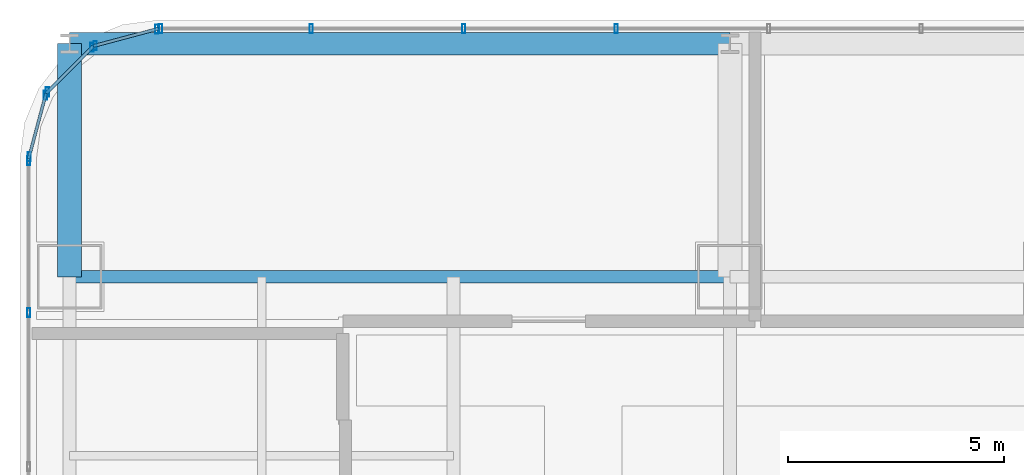
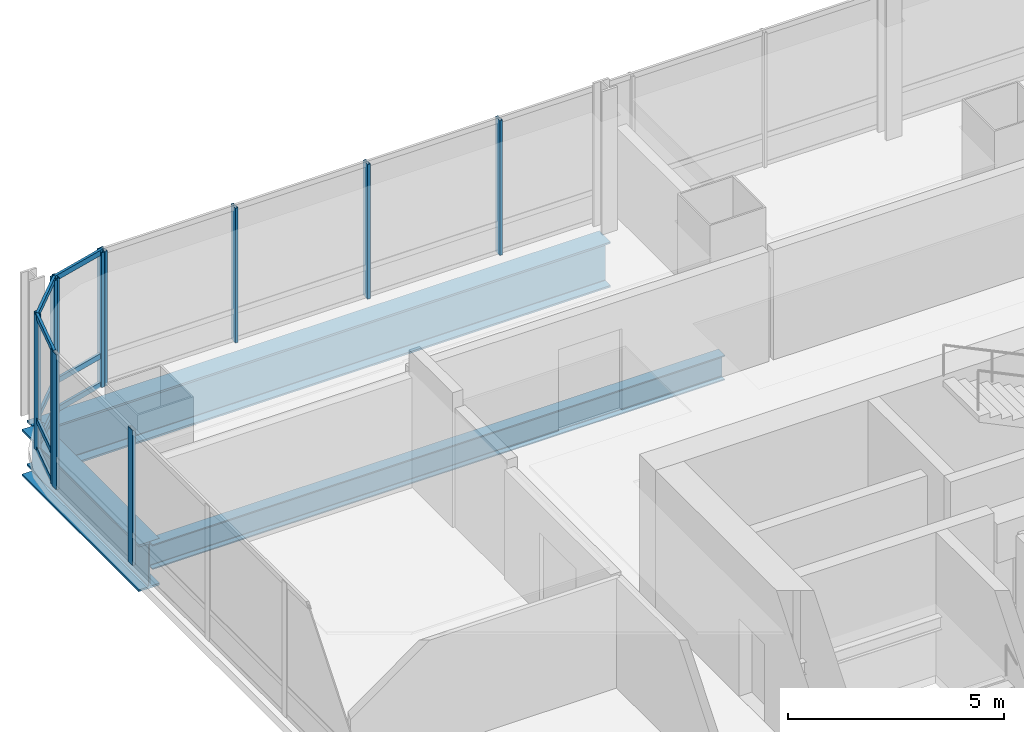
# One storey, part 19 of 34: 21 members, 3 beams, 5 elements without a shape of their own.
"""IFC4 building model written with IfcOpenShell, lengths in metres."""

import ifcopenshell
import ifcopenshell.guid

model = None  # the IFC model being written
_history = None  # IfcOwnerHistory: only IFC2X3 demands one
_inside = {}  # id of a spatial element -> (the spatial element, [elements in it])
_under = {}  # id of a project, library or spatial element -> (it, [spatial elements below it])
_declared = {}  # id of a project -> (the project, [libraries it declares])
_typed = {}  # id of a type object -> (the type object, [elements of that type])
_made_of = {}  # id of a material, layer set ... -> (it, [elements and type objects made of it])


def new_model(schema):
    """Start an empty IFC model of exactly this schema.

    Asked for "IFC4X3", IfcOpenShell would pick the latest addendum, in which some entities
    have other attributes; the version numbers below select the first issue.
    IFC2X3 requires an IfcOwnerHistory on every rooted entity: one is made here for all.
    """
    global model, _history
    if schema == "IFC4X3":
        model = ifcopenshell.file(schema_version=(4, 3, 0, 0))
    else:
        model = ifcopenshell.file(schema=schema)
    _inside.clear()
    _under.clear()
    _declared.clear()
    _typed.clear()
    _made_of.clear()
    _history = None
    if model.schema == "IFC2X3":
        org = make("IfcOrganization", Name="unknown")
        user = make(
            "IfcPersonAndOrganization",
            ThePerson=make("IfcPerson", FamilyName="unknown"),
            TheOrganization=org,
        )
        app = make(
            "IfcApplication",
            ApplicationDeveloper=org,
            Version="unknown",
            ApplicationFullName="unknown",
            ApplicationIdentifier="unknown",
        )
        _history = make(
            "IfcOwnerHistory",
            OwningUser=user,
            OwningApplication=app,
            ChangeAction="ADDED",
            CreationDate=0,
        )
    return model


def make(cls, **values):
    """One entity of the class cls with the attributes given. An attribute that is None is left unset."""
    return model.create_entity(
        cls, **{name: value for name, value in values.items() if value is not None}
    )


def rooted(cls, **values):
    """An entity with a GlobalId (a new one), such as an element, a storey or a relation."""
    return make(cls, GlobalId=ifcopenshell.guid.new(), OwnerHistory=_history, **values)


def si_unit(unit_type, name, prefix=None):
    """IfcSIUnit, for example si_unit("LENGTHUNIT", "METRE", prefix="MILLI")."""
    return make("IfcSIUnit", UnitType=unit_type, Prefix=prefix, Name=name)


def assignment(units):
    """IfcUnitAssignment: the units of a project."""
    return None if units is None else make("IfcUnitAssignment", Units=units)


def point(xyz):
    """IfcCartesianPoint."""
    return None if xyz is None else make("IfcCartesianPoint", Coordinates=xyz)


def direction(xyz):
    """IfcDirection."""
    return None if xyz is None else make("IfcDirection", DirectionRatios=xyz)


def frame(location, z_axis=None, x_axis=None):
    """IfcAxis2Placement3D, a coordinate frame: its origin and axes. An axis left out is left unset."""
    return make(
        "IfcAxis2Placement3D",
        Location=point(location),
        Axis=direction(z_axis),
        RefDirection=direction(x_axis),
    )


def frame_2d(location, x_axis=None):
    """IfcAxis2Placement2D, a coordinate frame in the plane: its origin and x axis."""
    return make(
        "IfcAxis2Placement2D", Location=point(location), RefDirection=direction(x_axis)
    )


def origin():
    """The frame at (0, 0, 0) with its axes left unset."""
    return frame((0.0, 0.0, 0.0))


def origin_2d():
    """The frame at (0, 0) in the plane with its x axis left unset."""
    return frame_2d((0.0, 0.0))


def place(relative_to, where):
    """IfcLocalPlacement: puts the frame where relative to a parent placement (None: the world)."""
    return make(
        "IfcLocalPlacement", PlacementRelTo=relative_to, RelativePlacement=where
    )


def context(
    kind, dimensions, precision=None, world=None, true_north=None, identifier=None
):
    """IfcGeometricRepresentationContext, for example the 3D "Model" context."""
    return make(
        "IfcGeometricRepresentationContext",
        ContextIdentifier=identifier,
        ContextType=kind,
        CoordinateSpaceDimension=dimensions,
        Precision=precision,
        WorldCoordinateSystem=world,
        TrueNorth=true_north,
    )


def subcontext(parent, identifier, kind, view, scale=None):
    """IfcGeometricRepresentationSubContext, for example "Body" below "Model"."""
    return make(
        "IfcGeometricRepresentationSubContext",
        ContextIdentifier=identifier,
        ContextType=kind,
        ParentContext=parent,
        TargetScale=scale,
        TargetView=view,
    )


def project(units=None, contexts=None):
    """IfcProject with its units and contexts."""
    return rooted(
        "IfcProject",
        Name="project",
        RepresentationContexts=contexts,
        UnitsInContext=assignment(units),
    )


def spatial(cls, under=None, at=None, **own):
    """A site, building, storey or space (cls), placed at a placement, below another one or the project."""
    s = rooted(cls, ObjectPlacement=at, **own)
    if under is not None:
        _under.setdefault(under.id(), (under, []))[1].append(s)
    return s


def profile(cls, at=None, kind="AREA", **sizes):
    """A parametric profile (cls). Its sizes go by their IFC names, for example OverallWidth=200.0."""
    return make(cls, ProfileType=kind, Position=at, **sizes)


def hollow_rectangle(**sizes):
    """IfcRectangleHollowProfileDef."""
    return profile("IfcRectangleHollowProfileDef", **sizes)


def i_section(**sizes):
    """IfcIShapeProfileDef."""
    return profile("IfcIShapeProfileDef", **sizes)


def extrude(swept, where, along, depth):
    """IfcExtrudedAreaSolid: the profile swept, set in the frame where, extruded along a direction by depth."""
    return make(
        "IfcExtrudedAreaSolid",
        SweptArea=swept,
        Position=where,
        ExtrudedDirection=direction(along),
        Depth=depth,
    )


def shape(context_of_items, identifier, shape_type, items):
    """IfcShapeRepresentation: the items that make up one representation, for example the "Body"."""
    return make(
        "IfcShapeRepresentation",
        ContextOfItems=context_of_items,
        RepresentationIdentifier=identifier,
        RepresentationType=shape_type,
        Items=items,
    )


def material(Name=None, Category=None):
    """IfcMaterial."""
    return make("IfcMaterial", Name=Name, Category=Category)


def material_profile(
    of_material, cross_section, Name=None, Category=None, Priority=None
):
    """IfcMaterialProfile: a cross section and its material."""
    return make(
        "IfcMaterialProfile",
        Name=Name,
        Material=of_material,
        Profile=cross_section,
        Priority=Priority,
        Category=Category,
    )


def profile_set(profiles, Name=None, composite=None):
    """IfcMaterialProfileSet."""
    return make(
        "IfcMaterialProfileSet",
        Name=Name,
        MaterialProfiles=profiles,
        CompositeProfile=composite,
    )


def made_of(thing, what):
    """Note that an element or type object is made of a material, layer set ...; save() writes the relation."""
    if what is not None:
        _made_of.setdefault(what.id(), (what, []))[1].append(thing)
    return thing


def type_object(cls, material=None, **own):
    """A type object (cls), such as IfcWallType, which elements share."""
    return made_of(rooted(cls, **own), material)


def element(
    cls,
    number,
    at=None,
    inside=None,
    cuts=None,
    type_object=None,
    material=None,
    context=None,
    identifier="Body",
    shape_type=None,
    held_by="IfcProductDefinitionShape",
    body=None,
    shapes=None,
    **own,
):
    """One element of the class cls, such as IfcWall. Its Tag is "e" and its number.

    at: its placement. inside: the storey or other place that contains it. cuts: it is an
    opening in that element (IfcRelVoidsElement). A single representation is given by context,
    identifier, shape_type and body (its items); several are given by shapes. held_by: the class
    of the entity that holds the representations. save() writes the other relations.
    """
    e = rooted(cls, Tag="e%d" % number, ObjectPlacement=at, **own)
    if body is not None:
        shapes = [shape(context, identifier, shape_type, body)]
    if shapes is not None:
        e.Representation = make(held_by, Representations=shapes)
    if inside is not None:
        _inside.setdefault(inside.id(), (inside, []))[1].append(e)
    if cuts is not None:
        rooted(
            "IfcRelVoidsElement", RelatingBuildingElement=cuts, RelatedOpeningElement=e
        )
    if type_object is not None:
        _typed.setdefault(type_object.id(), (type_object, []))[1].append(e)
    return made_of(e, material)


def aggregate(whole, parts):
    """IfcRelAggregates: a whole, such as a stair, and the parts it consists of."""
    return rooted("IfcRelAggregates", RelatingObject=whole, RelatedObjects=parts)


def save(model, path):
    """Write the relations noted so far, then the file.

    IfcRelAggregates (storeys below a building ...), IfcRelContainedInSpatialStructure (elements
    in a storey), IfcRelDefinesByType, IfcRelAssociatesMaterial and IfcRelDeclares: one each for
    every whole, place, type object, material and project.
    """
    for whole, parts in _under.values():
        aggregate(whole, parts)
    for where, things in _inside.values():
        rooted(
            "IfcRelContainedInSpatialStructure",
            RelatedElements=things,
            RelatingStructure=where,
        )
    for kind, things in _typed.values():
        rooted("IfcRelDefinesByType", RelatedObjects=things, RelatingType=kind)
    for what, things in _made_of.values():
        rooted("IfcRelAssociatesMaterial", RelatedObjects=things, RelatingMaterial=what)
    for by, libraries in _declared.values():
        rooted("IfcRelDeclares", RelatingContext=by, RelatedDefinitions=libraries)
    model.write(path)


model = new_model("IFC4")

# Units and contexts
model_context = context("Model", 3, precision=1e-05, world=origin(), true_north=direction((0.0, 1.0)))
body_context = subcontext(model_context, "Body", "Model", "MODEL_VIEW")
ifc_project = project(units=[si_unit("LENGTHUNIT", "METRE"), si_unit("AREAUNIT", "SQUARE_METRE"), si_unit("VOLUMEUNIT", "CUBIC_METRE"), si_unit("PLANEANGLEUNIT", "RADIAN"), si_unit("MASSUNIT", "GRAM", prefix="KILO")], contexts=[model_context])

# Site, building, storey
site_placement = place(None, origin())
site = spatial("IfcSite", under=ifc_project, at=site_placement, CompositionType="ELEMENT")
building_placement = place(site_placement, origin())
building = spatial("IfcBuilding", under=site, at=building_placement, Name="Punatoya Terracotta Tower", CompositionType="ELEMENT")
storey_placement = place(building_placement, frame((0.0, 0.0, 101.10009765625)))
storey = spatial("IfcBuildingStorey", under=building, at=storey_placement, Name="L23", CompositionType="ELEMENT", Elevation=101.10009765625)

# Beams
ifc_material_1 = material(Name="Steel S355", Category="steel")
ifc_material_profile_1 = material_profile(ifc_material_1, i_section(OverallWidth=0.300048828125, OverallDepth=0.699951171875, WebThickness=0.01708984375, FlangeThickness=0.031982421875, FilletRadius=0.01806640625, at=origin_2d()))
ifc_profile_set_1 = profile_set([ifc_material_profile_1], Name="Steel S355")
beam_type_1 = type_object("IfcBeamType", Name="BM-PRI-700", PredefinedType="BEAM", material=ifc_profile_set_1)
beam_1_placement = place(storey_placement, frame((-19.10009765625, 17.5, -0.590087890625), z_axis=(1.0, 0.0, 0.0), x_axis=(0.0, 1.0, 0.0)))
element("IfcBeam", 1, at=beam_1_placement, inside=storey, type_object=beam_type_1, Name="BM-L23-RG-N1", PredefinedType="BEAM", context=body_context, shape_type="SweptSolid", body=[
    extrude(i_section(OverallWidth=0.300048828125, OverallDepth=0.699951171875, WebThickness=0.01708984375, FlangeThickness=0.031982421875, FilletRadius=0.01806640625, at=origin_2d()), origin(), (0.0, 0.0, 1.0), 15.300048828125),
])
ifc_material_2 = material(Name="Steel S460", Category="steel")
ifc_material_profile_2 = material_profile(ifc_material_2, i_section(OverallWidth=0.56005859375, OverallDepth=1.320068359375, WebThickness=0.035888671875, FlangeThickness=0.054931640625, FilletRadius=0.01806640625, at=origin_2d()))
ifc_profile_set_2 = profile_set([ifc_material_profile_2], Name="Steel S460")
beam_type_2 = type_object("IfcBeamType", Name="BM-TG-BLK", PredefinedType="BEAM", material=ifc_profile_set_2)
beam_2_placement = place(storey_placement, frame((-19.10009765625, 17.5, -0.900146484375), z_axis=(0.0, 1.0, 0.0), x_axis=(-1.0, 0.0, 0.0)))
element("IfcBeam", 2, at=beam_2_placement, inside=storey, type_object=beam_type_2, Name="BM-L23-CANT-N1", PredefinedType="BEAM", context=body_context, shape_type="SweptSolid", body=[
    extrude(i_section(OverallWidth=0.56005859375, OverallDepth=1.320068359375, WebThickness=0.035888671875, FlangeThickness=0.054931640625, FilletRadius=0.01806640625, at=origin_2d()), origin(), (0.0, 0.0, 1.0), 5.39990234375),
])
ifc_material_profile_3 = material_profile(ifc_material_2, i_section(OverallWidth=0.52001953125, OverallDepth=1.280029296875, WebThickness=0.031982421875, FlangeThickness=0.050048828125, FilletRadius=0.01806640625, at=origin_2d()))
ifc_profile_set_3 = profile_set([ifc_material_profile_3], Name="Steel S460")
beam_type_3 = type_object("IfcBeamType", Name="BM-TG-NCK", PredefinedType="BEAM", material=ifc_profile_set_3)
beam_3_placement = place(storey_placement, frame((-19.10009765625, 22.89990234375, -0.880126953125), z_axis=(1.0, 0.0, 0.0), x_axis=(0.0, 1.0, 0.0)))
element("IfcBeam", 3, at=beam_3_placement, inside=storey, type_object=beam_type_3, Name="BM-L23-PER-N1", PredefinedType="BEAM", context=body_context, shape_type="SweptSolid", body=[
    extrude(i_section(OverallWidth=0.52001953125, OverallDepth=1.280029296875, WebThickness=0.031982421875, FlangeThickness=0.050048828125, FilletRadius=0.01806640625, at=origin_2d()), origin(), (0.0, 0.0, 1.0), 15.300048828125),
])

# Curtain wall, members
ifc_material_3 = material(Name="Aluminium 6063-T6 + Double Low-E Glass", Category="aluminium")
curtain_wall_type = type_object("IfcCurtainWallType", Name="CW-M1", PredefinedType="NOTDEFINED", material=ifc_material_3)
curtain_wall_1_placement = place(storey_placement, origin())
curtain_wall_1 = element("IfcCurtainWall", 4, at=curtain_wall_1_placement, inside=storey, type_object=curtain_wall_type, Name="L23 Curtain Wall CW-L23-N09-1", PredefinedType="NOTDEFINED")
ifc_material_4 = material(Name="Aluminium 6063-T6", Category="aluminium")
ifc_material_profile_4 = material_profile(ifc_material_4, hollow_rectangle(XDim=0.074951171875, YDim=0.2099609375, WallThickness=0.00439453125, at=origin_2d()))
ifc_profile_set_4 = profile_set([ifc_material_profile_4], Name="Aluminium 6063-T6")
member_type_1 = type_object("IfcMemberType", Name="CW-MUL-M1", PredefinedType="MULLION", material=ifc_profile_set_4)
member_1_placement = place(storey_placement, frame((-6.43505859375, 23.25, 0.0), z_axis=(0.0, 0.0, 1.0), x_axis=(1.0, 0.0, 0.0)))
member_1 = element("IfcMember", 5, at=member_1_placement, type_object=member_type_1, Name="CW-L23-N09-1 Mullion 08", PredefinedType="MULLION", context=body_context, shape_type="SweptSolid", body=[
    extrude(hollow_rectangle(XDim=0.074951171875, YDim=0.2099609375, WallThickness=0.00439453125, at=origin_2d()), origin(), (0.0, 0.0, 1.0), 3.809814453125),
])
member_2_placement = place(storey_placement, frame((-9.968994140625, 23.25, 0.0), z_axis=(0.0, 0.0, 1.0), x_axis=(1.0, 0.0, 0.0)))
member_2 = element("IfcMember", 6, at=member_2_placement, type_object=member_type_1, Name="CW-L23-N09-1 Mullion 09", PredefinedType="MULLION", context=body_context, shape_type="SweptSolid", body=[
    extrude(hollow_rectangle(XDim=0.074951171875, YDim=0.2099609375, WallThickness=0.00439453125, at=origin_2d()), origin(), (0.0, 0.0, 1.0), 3.809814453125),
])
member_3_placement = place(storey_placement, frame((-13.5029296875, 23.25, 0.0), z_axis=(0.0, 0.0, 1.0), x_axis=(1.0, 0.0, 0.0)))
member_3 = element("IfcMember", 7, at=member_3_placement, type_object=member_type_1, Name="CW-L23-N09-1 Mullion 10", PredefinedType="MULLION", context=body_context, shape_type="SweptSolid", body=[
    extrude(hollow_rectangle(XDim=0.074951171875, YDim=0.2099609375, WallThickness=0.00439453125, at=origin_2d()), origin(), (0.0, 0.0, 1.0), 3.809814453125),
])
member_4_placement = place(storey_placement, frame((-16.991943359375, 23.25, 0.0), z_axis=(0.0, 0.0, 1.0), x_axis=(1.0, 0.0, 0.0)))
member_4 = element("IfcMember", 8, at=member_4_placement, type_object=member_type_1, Name="CW-L23-N09-1 Mullion 11", PredefinedType="MULLION", context=body_context, shape_type="SweptSolid", body=[
    extrude(hollow_rectangle(XDim=0.074951171875, YDim=0.2099609375, WallThickness=0.00439453125, at=origin_2d()), origin(), (0.0, 0.0, 1.0), 3.809814453125),
])
aggregate(curtain_wall_1, [member_1, member_2, member_3, member_4])

curtain_wall_2_placement = place(storey_placement, origin())
curtain_wall_2 = element("IfcCurtainWall", 9, at=curtain_wall_2_placement, inside=storey, type_object=curtain_wall_type, Name="L23 Curtain Wall CW-L23-CRN10", PredefinedType="NOTDEFINED")
member_5_placement = place(storey_placement, frame((-17.080322265625, 23.23828125, 0.0), z_axis=(0.0, 0.0, 1.0), x_axis=(1.0, 0.0, 0.0)))
member_5 = element("IfcMember", 10, at=member_5_placement, type_object=member_type_1, Name="CW-L23-CRN10 Mullion 00", PredefinedType="MULLION", context=body_context, shape_type="SweptSolid", body=[
    extrude(hollow_rectangle(XDim=0.074951171875, YDim=0.2099609375, WallThickness=0.00439453125, at=origin_2d()), origin(), (0.0, 0.0, 1.0), 3.809814453125),
])
member_6_placement = place(storey_placement, frame((-18.505615234375, 22.858154296875, 0.0), z_axis=(0.0, 0.0, 1.0), x_axis=(1.0, 0.0, 0.0)))
member_6 = element("IfcMember", 11, at=member_6_placement, type_object=member_type_1, Name="CW-L23-CRN10 Mullion 01", PredefinedType="MULLION", context=body_context, shape_type="SweptSolid", body=[
    extrude(hollow_rectangle(XDim=0.074951171875, YDim=0.2099609375, WallThickness=0.00439453125, at=origin_2d()), origin(), (0.0, 0.0, 1.0), 3.809814453125),
])

curtain_wall_3_placement = place(storey_placement, origin())
curtain_wall_3 = element("IfcCurtainWall", 12, at=curtain_wall_3_placement, inside=storey, type_object=curtain_wall_type, Name="L23 Curtain Wall CW-L23-CRN11", PredefinedType="NOTDEFINED")
member_7_placement = place(storey_placement, frame((-18.580810546875, 22.814697265625, 0.0), z_axis=(0.0, 0.0, 1.0), x_axis=(1.0, 0.0, 0.0)))
member_7 = element("IfcMember", 13, at=member_7_placement, type_object=member_type_1, Name="CW-L23-CRN11 Mullion 00", PredefinedType="MULLION", context=body_context, shape_type="SweptSolid", body=[
    extrude(hollow_rectangle(XDim=0.074951171875, YDim=0.2099609375, WallThickness=0.00439453125, at=origin_2d()), origin(), (0.0, 0.0, 1.0), 3.809814453125),
])
member_8_placement = place(storey_placement, frame((-19.61474609375, 21.781005859375, 0.0), z_axis=(0.0, 0.0, 1.0), x_axis=(1.0, 0.0, 0.0)))
member_8 = element("IfcMember", 14, at=member_8_placement, type_object=member_type_1, Name="CW-L23-CRN11 Mullion 01", PredefinedType="MULLION", context=body_context, shape_type="SweptSolid", body=[
    extrude(hollow_rectangle(XDim=0.074951171875, YDim=0.2099609375, WallThickness=0.00439453125, at=origin_2d()), origin(), (0.0, 0.0, 1.0), 3.809814453125),
])

curtain_wall_4_placement = place(storey_placement, origin())
curtain_wall_4 = element("IfcCurtainWall", 15, at=curtain_wall_4_placement, inside=storey, type_object=curtain_wall_type, Name="L23 Curtain Wall CW-L23-CRN12", PredefinedType="NOTDEFINED")
member_9_placement = place(storey_placement, frame((-19.658203125, 21.70556640625, 0.0), z_axis=(0.0, 0.0, 1.0), x_axis=(1.0, 0.0, 0.0)))
member_9 = element("IfcMember", 16, at=member_9_placement, type_object=member_type_1, Name="CW-L23-CRN12 Mullion 00", PredefinedType="MULLION", context=body_context, shape_type="SweptSolid", body=[
    extrude(hollow_rectangle(XDim=0.074951171875, YDim=0.2099609375, WallThickness=0.00439453125, at=origin_2d()), origin(), (0.0, 0.0, 1.0), 3.809814453125),
])
member_10_placement = place(storey_placement, frame((-20.038330078125, 20.280517578125, 0.0), z_axis=(0.0, 0.0, 1.0), x_axis=(1.0, 0.0, 0.0)))
member_10 = element("IfcMember", 17, at=member_10_placement, type_object=member_type_1, Name="CW-L23-CRN12 Mullion 01", PredefinedType="MULLION", context=body_context, shape_type="SweptSolid", body=[
    extrude(hollow_rectangle(XDim=0.074951171875, YDim=0.2099609375, WallThickness=0.00439453125, at=origin_2d()), origin(), (0.0, 0.0, 1.0), 3.809814453125),
])

curtain_wall_5_placement = place(storey_placement, origin())
curtain_wall_5 = element("IfcCurtainWall", 18, at=curtain_wall_5_placement, inside=storey, type_object=curtain_wall_type, Name="L23 Curtain Wall CW-L23-W13-1", PredefinedType="NOTDEFINED")
member_11_placement = place(storey_placement, frame((-20.050048828125, 20.19189453125, 0.0), z_axis=(0.0, 0.0, 1.0), x_axis=(1.0, 0.0, 0.0)))
member_11 = element("IfcMember", 19, at=member_11_placement, type_object=member_type_1, Name="CW-L23-W13-1 Mullion 00", PredefinedType="MULLION", context=body_context, shape_type="SweptSolid", body=[
    extrude(hollow_rectangle(XDim=0.074951171875, YDim=0.2099609375, WallThickness=0.00439453125, at=origin_2d()), origin(), (0.0, 0.0, 1.0), 3.809814453125),
])
member_12_placement = place(storey_placement, frame((-20.050048828125, 16.66943359375, 0.0), z_axis=(0.0, 0.0, 1.0), x_axis=(1.0, 0.0, 0.0)))
member_12 = element("IfcMember", 20, at=member_12_placement, type_object=member_type_1, Name="CW-L23-W13-1 Mullion 01", PredefinedType="MULLION", context=body_context, shape_type="SweptSolid", body=[
    extrude(hollow_rectangle(XDim=0.074951171875, YDim=0.2099609375, WallThickness=0.00439453125, at=origin_2d()), origin(), (0.0, 0.0, 1.0), 3.809814453125),
])
aggregate(curtain_wall_5, [member_11, member_12])

# Member
ifc_material_profile_5 = material_profile(ifc_material_4, hollow_rectangle(XDim=0.068115234375, YDim=0.14990234375, WallThickness=0.00390625, at=origin_2d()))
ifc_profile_set_5 = profile_set([ifc_material_profile_5], Name="Aluminium 6063-T6")
member_type_2 = type_object("IfcMemberType", Name="CW-TRN-TYP", PredefinedType="USERDEFINED", material=ifc_profile_set_5)
member_13_placement = place(storey_placement, frame((-17.036865234375, 23.25, 0.039794921875), z_axis=(-0.966224582397, -0.257701486942, 0.0), x_axis=(0.257701486942, -0.966224582397, 0.0)))
member_13 = element("IfcMember", 21, at=member_13_placement, type_object=member_type_2, Name="CW-L23-CRN10 Transom 1", ObjectType="TRANSOM", PredefinedType="USERDEFINED", context=body_context, shape_type="SweptSolid", body=[
    extrude(hollow_rectangle(XDim=0.068115234375, YDim=0.14990234375, WallThickness=0.00390625, at=origin_2d()), origin(), (0.0, 0.0, 1.0), 1.565185546875),
])

member_14_placement = place(storey_placement, frame((-17.036865234375, 23.25, 0.849853515625), z_axis=(-0.966224582397, -0.257701486942, 0.0), x_axis=(0.257701486942, -0.966224582397, 0.0)))
member_14 = element("IfcMember", 22, at=member_14_placement, type_object=member_type_2, Name="CW-L23-CRN10 Transom 2", ObjectType="TRANSOM", PredefinedType="USERDEFINED", context=body_context, shape_type="SweptSolid", body=[
    extrude(hollow_rectangle(XDim=0.068115234375, YDim=0.14990234375, WallThickness=0.00390625, at=origin_2d()), origin(), (0.0, 0.0, 1.0), 1.565185546875),
])

member_15_placement = place(storey_placement, frame((-17.036865234375, 23.25, 3.77001953125), z_axis=(-0.966224582397, -0.257701486942, 0.0), x_axis=(0.257701486942, -0.966224582397, 0.0)))
member_15 = element("IfcMember", 23, at=member_15_placement, type_object=member_type_2, Name="CW-L23-CRN10 Transom 3", ObjectType="TRANSOM", PredefinedType="USERDEFINED", context=body_context, shape_type="SweptSolid", body=[
    extrude(hollow_rectangle(XDim=0.068115234375, YDim=0.14990234375, WallThickness=0.00390625, at=origin_2d()), origin(), (0.0, 0.0, 1.0), 1.565185546875),
])

aggregate(curtain_wall_2, [member_5, member_6, member_13, member_14, member_15])

member_16_placement = place(storey_placement, frame((-18.549072265625, 22.8466796875, 0.039794921875), z_axis=(-0.707028130747, -0.707185422879, 0.0), x_axis=(0.707185422879, -0.707028130747, 0.0)))
member_16 = element("IfcMember", 24, at=member_16_placement, type_object=member_type_2, Name="CW-L23-CRN11 Transom 1", ObjectType="TRANSOM", PredefinedType="USERDEFINED", context=body_context, shape_type="SweptSolid", body=[
    extrude(hollow_rectangle(XDim=0.068115234375, YDim=0.14990234375, WallThickness=0.00390625, at=origin_2d()), origin(), (0.0, 0.0, 1.0), 1.55224609375),
])

member_17_placement = place(storey_placement, frame((-18.549072265625, 22.8466796875, 0.849853515625), z_axis=(-0.707028130747, -0.707185422879, 0.0), x_axis=(0.707185422879, -0.707028130747, 0.0)))
member_17 = element("IfcMember", 25, at=member_17_placement, type_object=member_type_2, Name="CW-L23-CRN11 Transom 2", ObjectType="TRANSOM", PredefinedType="USERDEFINED", context=body_context, shape_type="SweptSolid", body=[
    extrude(hollow_rectangle(XDim=0.068115234375, YDim=0.14990234375, WallThickness=0.00390625, at=origin_2d()), origin(), (0.0, 0.0, 1.0), 1.55224609375),
])

member_18_placement = place(storey_placement, frame((-18.549072265625, 22.8466796875, 3.77001953125), z_axis=(-0.707028130747, -0.707185422879, 0.0), x_axis=(0.707185422879, -0.707028130747, 0.0)))
member_18 = element("IfcMember", 26, at=member_18_placement, type_object=member_type_2, Name="CW-L23-CRN11 Transom 3", ObjectType="TRANSOM", PredefinedType="USERDEFINED", context=body_context, shape_type="SweptSolid", body=[
    extrude(hollow_rectangle(XDim=0.068115234375, YDim=0.14990234375, WallThickness=0.00390625, at=origin_2d()), origin(), (0.0, 0.0, 1.0), 1.55224609375),
])

aggregate(curtain_wall_3, [member_7, member_8, member_16, member_17, member_18])

member_19_placement = place(storey_placement, frame((-19.646484375, 21.7490234375, 0.039794921875), z_axis=(-0.257847112249, -0.966185730957, 0.0), x_axis=(0.966185730957, -0.257847112249, 0.0)))
member_19 = element("IfcMember", 27, at=member_19_placement, type_object=member_type_2, Name="CW-L23-CRN12 Transom 1", ObjectType="TRANSOM", PredefinedType="USERDEFINED", context=body_context, shape_type="SweptSolid", body=[
    extrude(hollow_rectangle(XDim=0.068115234375, YDim=0.14990234375, WallThickness=0.00390625, at=origin_2d()), origin(), (0.0, 0.0, 1.0), 1.565185546875),
])

member_20_placement = place(storey_placement, frame((-19.646484375, 21.7490234375, 0.849853515625), z_axis=(-0.257847112249, -0.966185730957, 0.0), x_axis=(0.966185730957, -0.257847112249, 0.0)))
member_20 = element("IfcMember", 28, at=member_20_placement, type_object=member_type_2, Name="CW-L23-CRN12 Transom 2", ObjectType="TRANSOM", PredefinedType="USERDEFINED", context=body_context, shape_type="SweptSolid", body=[
    extrude(hollow_rectangle(XDim=0.068115234375, YDim=0.14990234375, WallThickness=0.00390625, at=origin_2d()), origin(), (0.0, 0.0, 1.0), 1.565185546875),
])

member_21_placement = place(storey_placement, frame((-19.646484375, 21.7490234375, 3.77001953125), z_axis=(-0.257847112249, -0.966185730957, 0.0), x_axis=(0.966185730957, -0.257847112249, 0.0)))
member_21 = element("IfcMember", 29, at=member_21_placement, type_object=member_type_2, Name="CW-L23-CRN12 Transom 3", ObjectType="TRANSOM", PredefinedType="USERDEFINED", context=body_context, shape_type="SweptSolid", body=[
    extrude(hollow_rectangle(XDim=0.068115234375, YDim=0.14990234375, WallThickness=0.00390625, at=origin_2d()), origin(), (0.0, 0.0, 1.0), 1.565185546875),
])

aggregate(curtain_wall_4, [member_9, member_10, member_19, member_20, member_21])

save(model, "model.ifc")
